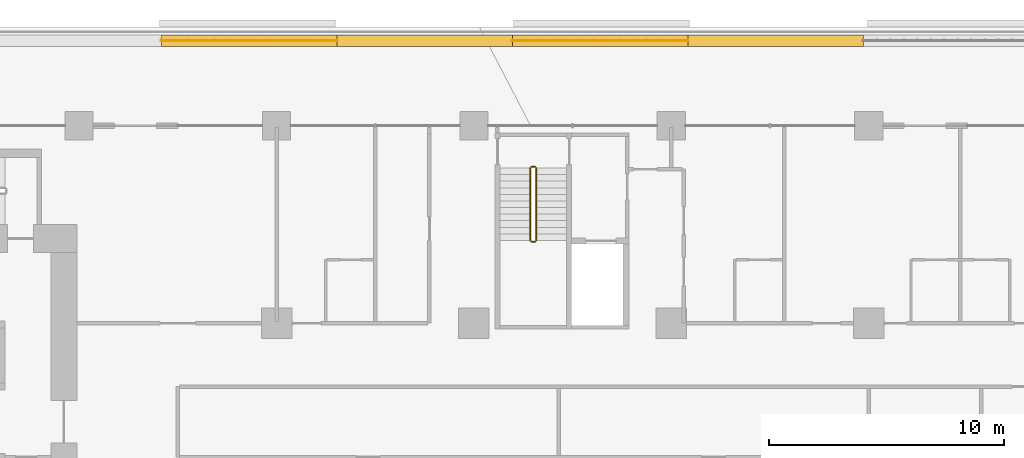
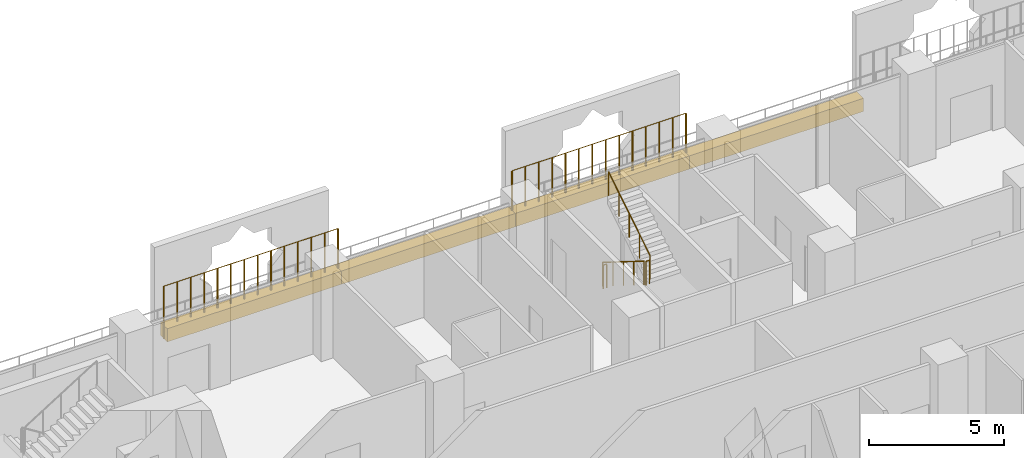
# One storey, part 27 of 28: 6 railings, 4 coverings.
"""IFC4 building model written with IfcOpenShell, lengths in metres."""

from ifc_helpers import new_model, si_unit, direction, frame, origin, origin_2d, place, context, subcontext, project, spatial, rectangle, circle, extrude, material, material_profile, profile_set, type_object, element, save


model = new_model("IFC4")

# Units and contexts
model_context = context("Model", 3, precision=1e-05, world=origin(), true_north=direction((0.0, 1.0)))
body_context = subcontext(model_context, "Body", "Model", "MODEL_VIEW")
ifc_project = project(units=[si_unit("LENGTHUNIT", "METRE"), si_unit("AREAUNIT", "SQUARE_METRE"), si_unit("VOLUMEUNIT", "CUBIC_METRE"), si_unit("PLANEANGLEUNIT", "RADIAN"), si_unit("MASSUNIT", "GRAM", prefix="KILO")], contexts=[model_context])

# Site, building, storey
site_placement = place(None, origin())
site = spatial("IfcSite", under=ifc_project, at=site_placement, CompositionType="ELEMENT")
building_placement = place(site_placement, origin())
building = spatial("IfcBuilding", under=site, at=building_placement, Name="Kawkab Arch Medical Tower", CompositionType="ELEMENT")
storey_placement = place(building_placement, frame((0.0, 0.0, 56.0)))
storey = spatial("IfcBuildingStorey", under=building, at=storey_placement, Name="L12", CompositionType="ELEMENT", Elevation=56.0)

# Coverings
ifc_material_1 = material(Name="Planting soil in a precast trough", Category="concrete")
ifc_material_profile = material_profile(ifc_material_1, rectangle(XDim=0.5, YDim=0.60009765625, at=origin_2d()), Name="Trough 500x600")
ifc_profile_set = profile_set([ifc_material_profile], Name="Planting soil in a precast trough")
covering_type = type_object("IfcCoveringType", Name="Planter trough 500 x 600", PredefinedType="USERDEFINED", material=ifc_profile_set)
for number, where, z_axis, x_axis, name in (
    (1, (28.695068359375, 3.6201171875, 0.300048828125), (1.0, 0.0, 0.0), (0.0, 1.0, 0.0), "Planter L12.LOG-01-01.23"),
    (2, (36.1650390625, 3.6201171875, 0.300048828125), (1.0, 0.0, 0.0), (0.0, 1.0, 0.0), "Planter L12.LOG-01-01.24"),
    (3, (43.635009765625, 3.6201171875, 0.300048828125), (1.0, 0.0, 0.0), (0.0, 1.0, 0.0), "Planter L12.LOG-01-01.25"),
):
    element("IfcCovering", number, at=place(storey_placement, frame(where, z_axis=z_axis, x_axis=x_axis)), inside=storey, type_object=covering_type, Name=name, ObjectType="PLANTER", PredefinedType="USERDEFINED", context=body_context, shape_type="SweptSolid", body=[
        extrude(rectangle(XDim=0.5, YDim=0.60009765625, at=origin_2d()), origin(), (0.0, 0.0, 1.0), 7.469970703125),
    ])
covering_placement = place(storey_placement, frame((51.10498046875, 3.6201171875, 0.300048828125), z_axis=(1.0, 0.0, 0.0), x_axis=(0.0, 1.0, 0.0)))
element("IfcCovering", 4, at=covering_placement, inside=storey, type_object=covering_type, Name="Planter L12.LOG-01-01.26", ObjectType="PLANTER", PredefinedType="USERDEFINED", context=body_context, shape_type="SweptSolid", body=[
    extrude(rectangle(XDim=0.5, YDim=0.60009765625, at=origin_2d()), origin(), (0.0, 0.0, 1.0), 7.470947265625),
])

# Railings
ifc_material_2 = material(Name="Bronze anodised aluminium trellis for climbing plants", Category="aluminium")
railing_type_1 = type_object("IfcRailingType", Name="Planting trellis 2400", PredefinedType="USERDEFINED", material=ifc_material_2)
railing_1_placement = place(storey_placement, frame((28.695068359375, 3.6201171875, 0.0)))
element("IfcRailing", 5, at=railing_1_placement, inside=storey, type_object=railing_type_1, Name="Planting trellis L12.LOG-01-01.23", ObjectType="TRELLIS", PredefinedType="USERDEFINED", context=body_context, shape_type="SweptSolid", body=[
    extrude(circle(Radius=0.01513671875, at=origin_2d()), frame((0.0, 0.0, 2.384765625), z_axis=(1.0, 0.0, 0.0), x_axis=(0.0, 1.0, 0.0)), (0.0, 0.0, 1.0), 7.469970703125),
    extrude(circle(Radius=0.030029296875, at=origin_2d()), origin(), (0.0, 0.0, 1.0), 2.369873046875),
    extrude(circle(Radius=0.030029296875, at=origin_2d()), frame((0.57470703125, 0.0, 0.0)), (0.0, 0.0, 1.0), 2.369873046875),
    extrude(circle(Radius=0.030029296875, at=origin_2d()), frame((1.149169921875, 0.0, 0.0)), (0.0, 0.0, 1.0), 2.369873046875),
    extrude(circle(Radius=0.030029296875, at=origin_2d()), frame((1.723876953125, 0.0, 0.0)), (0.0, 0.0, 1.0), 2.369873046875),
    extrude(circle(Radius=0.030029296875, at=origin_2d()), frame((2.29833984375, 0.0, 0.0)), (0.0, 0.0, 1.0), 2.369873046875),
    extrude(circle(Radius=0.030029296875, at=origin_2d()), frame((2.873046875, 0.0, 0.0)), (0.0, 0.0, 1.0), 2.369873046875),
    extrude(circle(Radius=0.030029296875, at=origin_2d()), frame((3.44775390625, 0.0, 0.0)), (0.0, 0.0, 1.0), 2.369873046875),
    extrude(circle(Radius=0.030029296875, at=origin_2d()), frame((4.022216796875, 0.0, 0.0)), (0.0, 0.0, 1.0), 2.369873046875),
    extrude(circle(Radius=0.030029296875, at=origin_2d()), frame((4.596923828125, 0.0, 0.0)), (0.0, 0.0, 1.0), 2.369873046875),
    extrude(circle(Radius=0.030029296875, at=origin_2d()), frame((5.171630859375, 0.0, 0.0)), (0.0, 0.0, 1.0), 2.369873046875),
    extrude(circle(Radius=0.030029296875, at=origin_2d()), frame((5.74609375, 0.0, 0.0)), (0.0, 0.0, 1.0), 2.369873046875),
    extrude(circle(Radius=0.030029296875, at=origin_2d()), frame((6.32080078125, 0.0, 0.0)), (0.0, 0.0, 1.0), 2.369873046875),
    extrude(circle(Radius=0.030029296875, at=origin_2d()), frame((6.895263671875, 0.0, 0.0)), (0.0, 0.0, 1.0), 2.369873046875),
    extrude(circle(Radius=0.030029296875, at=origin_2d()), frame((7.469970703125, 0.0, 0.0)), (0.0, 0.0, 1.0), 2.369873046875),
])
railing_2_placement = place(storey_placement, frame((43.635009765625, 3.6201171875, 0.0)))
element("IfcRailing", 6, at=railing_2_placement, inside=storey, type_object=railing_type_1, Name="Planting trellis L12.LOG-01-01.25", ObjectType="TRELLIS", PredefinedType="USERDEFINED", context=body_context, shape_type="SweptSolid", body=[
    extrude(circle(Radius=0.01513671875, at=origin_2d()), frame((0.0, 0.0, 2.384765625), z_axis=(1.0, 0.0, 0.0), x_axis=(0.0, 1.0, 0.0)), (0.0, 0.0, 1.0), 7.469970703125),
    extrude(circle(Radius=0.030029296875, at=origin_2d()), origin(), (0.0, 0.0, 1.0), 2.369873046875),
    extrude(circle(Radius=0.030029296875, at=origin_2d()), frame((0.57470703125, 0.0, 0.0)), (0.0, 0.0, 1.0), 2.369873046875),
    extrude(circle(Radius=0.030029296875, at=origin_2d()), frame((1.149169921875, 0.0, 0.0)), (0.0, 0.0, 1.0), 2.369873046875),
    extrude(circle(Radius=0.030029296875, at=origin_2d()), frame((1.723876953125, 0.0, 0.0)), (0.0, 0.0, 1.0), 2.369873046875),
    extrude(circle(Radius=0.030029296875, at=origin_2d()), frame((2.29833984375, 0.0, 0.0)), (0.0, 0.0, 1.0), 2.369873046875),
    extrude(circle(Radius=0.030029296875, at=origin_2d()), frame((2.873046875, 0.0, 0.0)), (0.0, 0.0, 1.0), 2.369873046875),
    extrude(circle(Radius=0.030029296875, at=origin_2d()), frame((3.44775390625, 0.0, 0.0)), (0.0, 0.0, 1.0), 2.369873046875),
    extrude(circle(Radius=0.030029296875, at=origin_2d()), frame((4.022216796875, 0.0, 0.0)), (0.0, 0.0, 1.0), 2.369873046875),
    extrude(circle(Radius=0.030029296875, at=origin_2d()), frame((4.596923828125, 0.0, 0.0)), (0.0, 0.0, 1.0), 2.369873046875),
    extrude(circle(Radius=0.030029296875, at=origin_2d()), frame((5.171630859375, 0.0, 0.0)), (0.0, 0.0, 1.0), 2.369873046875),
    extrude(circle(Radius=0.030029296875, at=origin_2d()), frame((5.74609375, 0.0, 0.0)), (0.0, 0.0, 1.0), 2.369873046875),
    extrude(circle(Radius=0.030029296875, at=origin_2d()), frame((6.32080078125, 0.0, 0.0)), (0.0, 0.0, 1.0), 2.369873046875),
    extrude(circle(Radius=0.030029296875, at=origin_2d()), frame((6.895263671875, 0.0, 0.0)), (0.0, 0.0, 1.0), 2.369873046875),
    extrude(circle(Radius=0.030029296875, at=origin_2d()), frame((7.469970703125, 0.0, 0.0)), (0.0, 0.0, 1.0), 2.369873046875),
])
ifc_material_3 = material(Name="Stainless steel", Category="steel")
railing_type_2 = type_object("IfcRailingType", Name="Stair guard 1100", PredefinedType="GUARDRAIL", material=ifc_material_3)
railing_3_placement = place(storey_placement, frame((44.39990234375, -1.800048828125, 0.175048828125)))
element("IfcRailing", 7, at=railing_3_placement, inside=storey, type_object=railing_type_2, Name="L12 ST5 stair guard 1", PredefinedType="GUARDRAIL", context=body_context, shape_type="SweptSolid", body=[
    extrude(circle(Radius=0.02392578125, at=origin_2d()), frame((0.0, 0.0, 1.076171875), z_axis=(0.0, -0.847979421464, 0.530029150871), x_axis=(1.0, 0.0, 0.0)), (0.0, 0.0, 1.0), 3.632080078125),
    extrude(circle(Radius=0.02099609375, at=origin_2d()), origin(), (0.0, 0.0, 1.0), 1.052001953125),
    extrude(circle(Radius=0.02099609375, at=origin_2d()), frame((0.0, -0.77001953125, 0.481201171875)), (0.0, 0.0, 1.0), 1.052001953125),
    extrude(circle(Radius=0.02099609375, at=origin_2d()), frame((0.0, -1.5400390625, 0.96240234375)), (0.0, 0.0, 1.0), 1.052001953125),
    extrude(circle(Radius=0.02099609375, at=origin_2d()), frame((0.0, -2.309814453125, 1.44384765625)), (0.0, 0.0, 1.0), 1.052001953125),
    extrude(circle(Radius=0.02099609375, at=origin_2d()), frame((0.0, -3.079833984375, 1.925048828125)), (0.0, 0.0, 1.0), 1.052001953125),
])
railing_4_placement = place(storey_placement, frame((44.449951171875, -4.929931640625, 2.10009765625)))
element("IfcRailing", 8, at=railing_4_placement, inside=storey, type_object=railing_type_2, Name="L12 ST5 stair guard 2", PredefinedType="GUARDRAIL", context=body_context, shape_type="SweptSolid", body=[
    extrude(circle(Radius=0.02392578125, at=origin_2d()), frame((0.0, 0.0, 1.076171875), z_axis=(1.0, 0.0, 0.0), x_axis=(0.0, 1.0, 0.0)), (0.0, 0.0, 1.0), 0.150146484375),
    extrude(circle(Radius=0.02099609375, at=origin_2d()), origin(), (0.0, 0.0, 1.0), 1.052001953125),
    extrude(circle(Radius=0.02099609375, at=origin_2d()), frame((0.150146484375, 0.0, 0.0)), (0.0, 0.0, 1.0), 1.052001953125),
])
railing_5_placement = place(storey_placement, frame((44.64990234375, -4.8798828125, 2.27490234375)))
element("IfcRailing", 9, at=railing_5_placement, inside=storey, type_object=railing_type_2, Name="L12 ST5 stair guard 3", PredefinedType="GUARDRAIL", context=body_context, shape_type="SweptSolid", body=[
    extrude(circle(Radius=0.02392578125, at=origin_2d()), frame((0.0, 0.0, 1.076171875), z_axis=(0.0, 0.847979421464, 0.530029150871), x_axis=(-1.0, 0.0, 0.0)), (0.0, 0.0, 1.0), 3.632080078125),
    extrude(circle(Radius=0.02099609375, at=origin_2d()), origin(), (0.0, 0.0, 1.0), 1.052001953125),
    extrude(circle(Radius=0.02099609375, at=origin_2d()), frame((0.0, 0.77001953125, 0.481201171875)), (0.0, 0.0, 1.0), 1.052001953125),
    extrude(circle(Radius=0.02099609375, at=origin_2d()), frame((0.0, 1.5400390625, 0.96240234375)), (0.0, 0.0, 1.0), 1.052001953125),
    extrude(circle(Radius=0.02099609375, at=origin_2d()), frame((0.0, 2.309814453125, 1.44384765625)), (0.0, 0.0, 1.0), 1.052001953125),
    extrude(circle(Radius=0.02099609375, at=origin_2d()), frame((0.0, 3.079833984375, 1.925048828125)), (0.0, 0.0, 1.0), 1.052001953125),
])
railing_6_placement = place(storey_placement, frame((44.449951171875, -1.75, 0.0)))
element("IfcRailing", 10, at=railing_6_placement, inside=storey, type_object=railing_type_2, Name="L12 ST5 stair guard 4", PredefinedType="GUARDRAIL", context=body_context, shape_type="SweptSolid", body=[
    extrude(circle(Radius=0.02392578125, at=origin_2d()), frame((0.0, 0.0, 1.076171875), z_axis=(1.0, 0.0, 0.0), x_axis=(0.0, 1.0, 0.0)), (0.0, 0.0, 1.0), 0.150146484375),
    extrude(circle(Radius=0.02099609375, at=origin_2d()), origin(), (0.0, 0.0, 1.0), 1.052001953125),
    extrude(circle(Radius=0.02099609375, at=origin_2d()), frame((0.150146484375, 0.0, 0.0)), (0.0, 0.0, 1.0), 1.052001953125),
])

save(model, "model.ifc")
